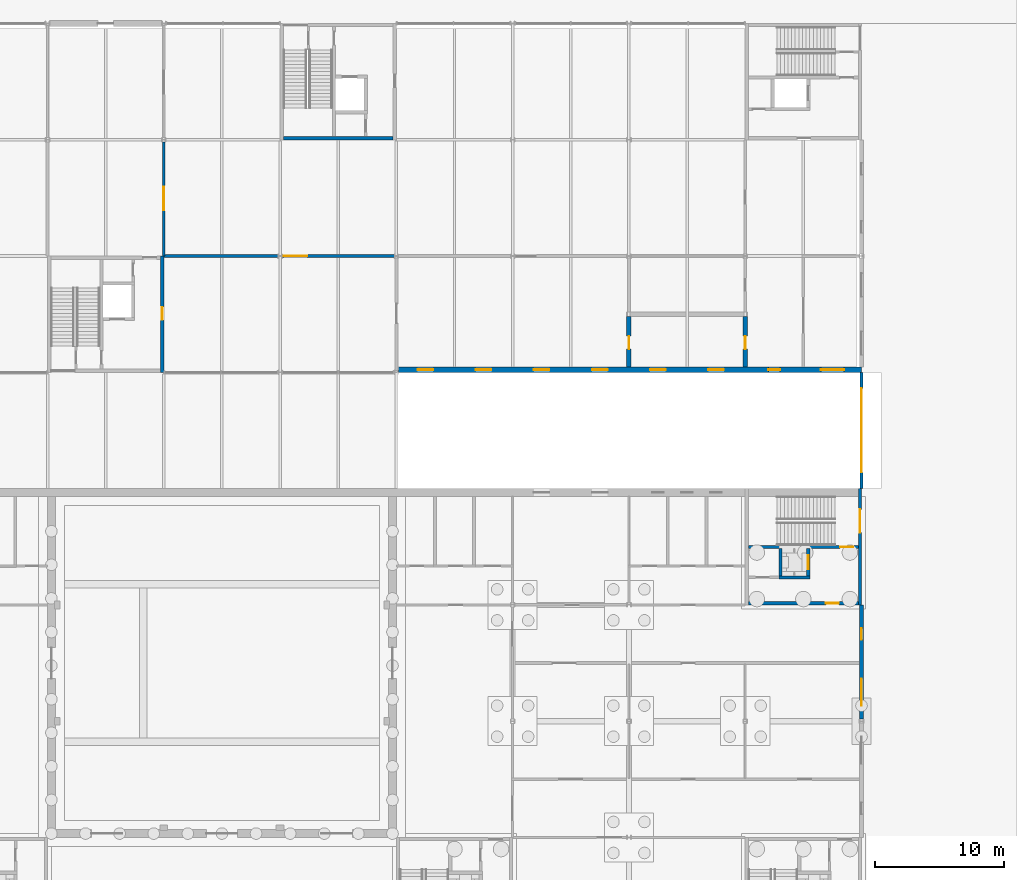
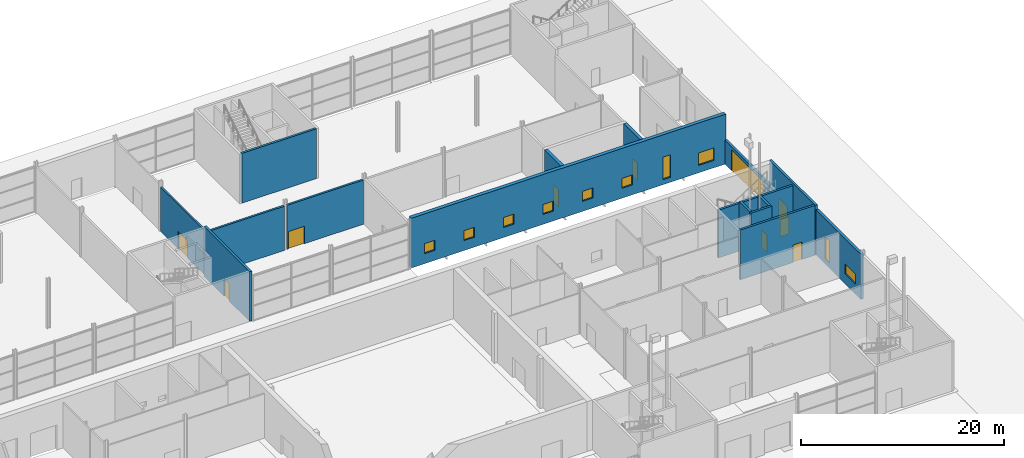
# One storey, part 78 of 97: 16 walls, 10 doors, 10 windows, 20 openings.
"""IFC4 building model written with IfcOpenShell, lengths in metres."""

from ifc_helpers import new_model, si_unit, direction, frame, frame_2d, origin, place, context, subcontext, project, spatial, rectangle, extrude, material, layer, layer_set, type_object, element, fill, save


model = new_model("IFC4")

# Units and contexts
model_context = context("Model", 3, precision=1e-05, world=origin(), true_north=direction((0.0, 1.0)))
body_context = subcontext(model_context, "Body", "Model", "MODEL_VIEW")
ifc_project = project(units=[si_unit("LENGTHUNIT", "METRE"), si_unit("AREAUNIT", "SQUARE_METRE"), si_unit("VOLUMEUNIT", "CUBIC_METRE"), si_unit("PLANEANGLEUNIT", "RADIAN"), si_unit("MASSUNIT", "GRAM", prefix="KILO")], contexts=[model_context])

# Site, building, storey
site_placement = place(None, origin())
site = spatial("IfcSite", under=ifc_project, at=site_placement, CompositionType="ELEMENT")
building_placement = place(site_placement, origin())
building = spatial("IfcBuilding", under=site, at=building_placement, Name="Corbel Yard City Hall", CompositionType="ELEMENT")
storey_placement = place(building_placement, origin())
storey = spatial("IfcBuildingStorey", under=building, at=storey_placement, Name="L00", CompositionType="ELEMENT", Elevation=0.0)

# Wall, openings, windows
ifc_material_1 = material(Name="Concrete N50 (50 MPa)", Category="concrete")
ifc_layer_1 = layer(ifc_material_1, 0.39990234375)
ifc_layer_set_1 = layer_set([ifc_layer_1], Name="Concrete N50 (50 MPa)")
wall_type_1 = type_object("IfcWallType", Name="Bearing wall 400", PredefinedType="SHEAR", material=ifc_layer_set_1)
wall_1_placement = place(storey_placement, frame((144.159912109375, 90.199951171875, 0.0), z_axis=(0.0, 0.0, 1.0), x_axis=(1.0, 0.0, 0.0)))
wall_1 = element("IfcWall", 1, at=wall_1_placement, inside=storey, type_object=wall_type_1, Name="Bearing wall L00 above the ramp trough", PredefinedType="SHEAR", context=body_context, shape_type="SweptSolid", body=[
    extrude(rectangle(XDim=35.840087890625, YDim=0.39990234375, at=frame_2d((17.919921875, 0.0))), origin(), (0.0, 0.0, 1.0), 6.0),
])
opening_1_placement = place(wall_1_placement, frame((1.489990234375, 0.0, 1.199951171875)))
opening_1 = element("IfcOpeningElement", 2, at=opening_1_placement, cuts=wall_1, Name="Opening WN13", PredefinedType="OPENING", context=body_context, shape_type="SweptSolid", body=[
    extrude(rectangle(XDim=1.199951171875, YDim=1.199951171875, at=frame_2d((0.60009765625, 0.60009765625))), frame((0.0, 0.2099609375, 0.0), z_axis=(0.0, -1.0, 0.0), x_axis=(1.0, 0.0, 0.0)), (0.0, 0.0, 1.0), 0.419921875),
])
opening_2_placement = place(wall_1_placement, frame((5.989990234375, 0.0, 1.199951171875)))
opening_2 = element("IfcOpeningElement", 3, at=opening_2_placement, cuts=wall_1, Name="Opening WN13", PredefinedType="OPENING", context=body_context, shape_type="SweptSolid", body=[
    extrude(rectangle(XDim=1.199951171875, YDim=1.199951171875, at=frame_2d((0.60009765625, 0.60009765625))), frame((0.0, 0.2099609375, 0.0), z_axis=(0.0, -1.0, 0.0), x_axis=(1.0, 0.0, 0.0)), (0.0, 0.0, 1.0), 0.419921875),
])
opening_3_placement = place(wall_1_placement, frame((10.489990234375, 0.0, 1.199951171875)))
opening_3 = element("IfcOpeningElement", 4, at=opening_3_placement, cuts=wall_1, Name="Opening WN13", PredefinedType="OPENING", context=body_context, shape_type="SweptSolid", body=[
    extrude(rectangle(XDim=1.199951171875, YDim=1.199951171875, at=frame_2d((0.60009765625, 0.60009765625))), frame((0.0, 0.2099609375, 0.0), z_axis=(0.0, -1.0, 0.0), x_axis=(1.0, 0.0, 0.0)), (0.0, 0.0, 1.0), 0.419921875),
])
opening_4_placement = place(wall_1_placement, frame((14.989990234375, 0.0, 1.199951171875)))
opening_4 = element("IfcOpeningElement", 5, at=opening_4_placement, cuts=wall_1, Name="Opening WN13", PredefinedType="OPENING", context=body_context, shape_type="SweptSolid", body=[
    extrude(rectangle(XDim=1.199951171875, YDim=1.199951171875, at=frame_2d((0.60009765625, 0.60009765625))), frame((0.0, 0.2099609375, 0.0), z_axis=(0.0, -1.0, 0.0), x_axis=(1.0, 0.0, 0.0)), (0.0, 0.0, 1.0), 0.419921875),
])
opening_5_placement = place(wall_1_placement, frame((19.489990234375, 0.0, 1.199951171875)))
opening_5 = element("IfcOpeningElement", 6, at=opening_5_placement, cuts=wall_1, Name="Opening WN13", PredefinedType="OPENING", context=body_context, shape_type="SweptSolid", body=[
    extrude(rectangle(XDim=1.199951171875, YDim=1.199951171875, at=frame_2d((0.60009765625, 0.60009765625))), frame((0.0, 0.2099609375, 0.0), z_axis=(0.0, -1.0, 0.0), x_axis=(1.0, 0.0, 0.0)), (0.0, 0.0, 1.0), 0.419921875),
])
opening_6_placement = place(wall_1_placement, frame((23.989990234375, 0.0, 1.199951171875)))
opening_6 = element("IfcOpeningElement", 7, at=opening_6_placement, cuts=wall_1, Name="Opening WN13", PredefinedType="OPENING", context=body_context, shape_type="SweptSolid", body=[
    extrude(rectangle(XDim=1.199951171875, YDim=1.199951171875, at=frame_2d((0.60009765625, 0.60009765625))), frame((0.0, 0.2099609375, 0.0), z_axis=(0.0, -1.0, 0.0), x_axis=(1.0, 0.0, 0.0)), (0.0, 0.0, 1.0), 0.419921875),
])
opening_7_placement = place(wall_1_placement, frame((28.639892578125, 0.0, 0.60009765625)))
opening_7 = element("IfcOpeningElement", 8, at=opening_7_placement, cuts=wall_1, Name="Opening WN14", PredefinedType="OPENING", context=body_context, shape_type="SweptSolid", body=[
    extrude(rectangle(XDim=0.89990234375, YDim=2.699951171875, at=frame_2d((0.449951171875, 1.35009765625))), frame((0.0, 0.2099609375, 0.0), z_axis=(0.0, -1.0, 0.0), x_axis=(1.0, 0.0, 0.0)), (0.0, 0.0, 1.0), 0.419921875),
])
opening_8_placement = place(wall_1_placement, frame((32.68994140625, 0.0, 0.89990234375)))
opening_8 = element("IfcOpeningElement", 9, at=opening_8_placement, cuts=wall_1, Name="Opening WN4", PredefinedType="OPENING", context=body_context, shape_type="SweptSolid", body=[
    extrude(rectangle(XDim=1.800048828125, YDim=1.5, at=frame_2d((0.89990234375, 0.75))), frame((0.0, 0.2099609375, 0.0), z_axis=(0.0, -1.0, 0.0), x_axis=(1.0, 0.0, 0.0)), (0.0, 0.0, 1.0), 0.419921875),
])
ifc_material_2 = material(Name="Aluminium frame, double glazed low-e glass", Category="aluminium")
window_type_1 = type_object("IfcWindowType", Name="WN13", PartitioningType="SINGLE_PANEL", PredefinedType="WINDOW", material=ifc_material_2)
window_1_placement = place(opening_1_placement, origin())
window_1 = element("IfcWindow", 10, at=window_1_placement, inside=storey, type_object=window_type_1, Name="Window WN13 L00", OverallHeight=1.199951171875, OverallWidth=1.199951171875, PartitioningType="SINGLE_PANEL", PredefinedType="WINDOW", context=body_context, shape_type="SweptSolid", body=[
    extrude(rectangle(XDim=1.199951171875, YDim=1.199951171875, at=frame_2d((0.60009765625, 0.60009765625))), frame((0.0, 0.030029296875, 0.0), z_axis=(0.0, -1.0, 0.0), x_axis=(1.0, 0.0, 0.0)), (0.0, 0.0, 1.0), 0.06005859375),
])
fill(opening_1, window_1)
window_2_placement = place(opening_2_placement, origin())
window_2 = element("IfcWindow", 11, at=window_2_placement, inside=storey, type_object=window_type_1, Name="Window WN13 L00", OverallHeight=1.199951171875, OverallWidth=1.199951171875, PartitioningType="SINGLE_PANEL", PredefinedType="WINDOW", context=body_context, shape_type="SweptSolid", body=[
    extrude(rectangle(XDim=1.199951171875, YDim=1.199951171875, at=frame_2d((0.60009765625, 0.60009765625))), frame((0.0, 0.030029296875, 0.0), z_axis=(0.0, -1.0, 0.0), x_axis=(1.0, 0.0, 0.0)), (0.0, 0.0, 1.0), 0.06005859375),
])
fill(opening_2, window_2)
window_3_placement = place(opening_3_placement, origin())
window_3 = element("IfcWindow", 12, at=window_3_placement, inside=storey, type_object=window_type_1, Name="Window WN13 L00", OverallHeight=1.199951171875, OverallWidth=1.199951171875, PartitioningType="SINGLE_PANEL", PredefinedType="WINDOW", context=body_context, shape_type="SweptSolid", body=[
    extrude(rectangle(XDim=1.199951171875, YDim=1.199951171875, at=frame_2d((0.60009765625, 0.60009765625))), frame((0.0, 0.030029296875, 0.0), z_axis=(0.0, -1.0, 0.0), x_axis=(1.0, 0.0, 0.0)), (0.0, 0.0, 1.0), 0.06005859375),
])
fill(opening_3, window_3)
window_4_placement = place(opening_4_placement, origin())
window_4 = element("IfcWindow", 13, at=window_4_placement, inside=storey, type_object=window_type_1, Name="Window WN13 L00", OverallHeight=1.199951171875, OverallWidth=1.199951171875, PartitioningType="SINGLE_PANEL", PredefinedType="WINDOW", context=body_context, shape_type="SweptSolid", body=[
    extrude(rectangle(XDim=1.199951171875, YDim=1.199951171875, at=frame_2d((0.60009765625, 0.60009765625))), frame((0.0, 0.030029296875, 0.0), z_axis=(0.0, -1.0, 0.0), x_axis=(1.0, 0.0, 0.0)), (0.0, 0.0, 1.0), 0.06005859375),
])
fill(opening_4, window_4)
window_5_placement = place(opening_5_placement, origin())
window_5 = element("IfcWindow", 14, at=window_5_placement, inside=storey, type_object=window_type_1, Name="Window WN13 L00", OverallHeight=1.199951171875, OverallWidth=1.199951171875, PartitioningType="SINGLE_PANEL", PredefinedType="WINDOW", context=body_context, shape_type="SweptSolid", body=[
    extrude(rectangle(XDim=1.199951171875, YDim=1.199951171875, at=frame_2d((0.60009765625, 0.60009765625))), frame((0.0, 0.030029296875, 0.0), z_axis=(0.0, -1.0, 0.0), x_axis=(1.0, 0.0, 0.0)), (0.0, 0.0, 1.0), 0.06005859375),
])
fill(opening_5, window_5)
window_6_placement = place(opening_6_placement, origin())
window_6 = element("IfcWindow", 15, at=window_6_placement, inside=storey, type_object=window_type_1, Name="Window WN13 L00", OverallHeight=1.199951171875, OverallWidth=1.199951171875, PartitioningType="SINGLE_PANEL", PredefinedType="WINDOW", context=body_context, shape_type="SweptSolid", body=[
    extrude(rectangle(XDim=1.199951171875, YDim=1.199951171875, at=frame_2d((0.60009765625, 0.60009765625))), frame((0.0, 0.030029296875, 0.0), z_axis=(0.0, -1.0, 0.0), x_axis=(1.0, 0.0, 0.0)), (0.0, 0.0, 1.0), 0.06005859375),
])
fill(opening_6, window_6)
window_type_2 = type_object("IfcWindowType", Name="WN14", PartitioningType="SINGLE_PANEL", PredefinedType="WINDOW", material=ifc_material_2)
window_7_placement = place(opening_7_placement, origin())
window_7 = element("IfcWindow", 16, at=window_7_placement, inside=storey, type_object=window_type_2, Name="Window WN14 L00", OverallHeight=2.699951171875, OverallWidth=0.89990234375, PartitioningType="SINGLE_PANEL", PredefinedType="WINDOW", context=body_context, shape_type="SweptSolid", body=[
    extrude(rectangle(XDim=0.89990234375, YDim=2.699951171875, at=frame_2d((0.449951171875, 1.35009765625))), frame((0.0, 0.030029296875, 0.0), z_axis=(0.0, -1.0, 0.0), x_axis=(1.0, 0.0, 0.0)), (0.0, 0.0, 1.0), 0.06005859375),
])
fill(opening_7, window_7)
window_type_3 = type_object("IfcWindowType", Name="WN4", PartitioningType="SINGLE_PANEL", PredefinedType="WINDOW", material=ifc_material_2)
window_8_placement = place(opening_8_placement, origin())
window_8 = element("IfcWindow", 17, at=window_8_placement, inside=storey, type_object=window_type_3, Name="Window WN4 L00", OverallHeight=1.5, OverallWidth=1.800048828125, PartitioningType="SINGLE_PANEL", PredefinedType="WINDOW", context=body_context, shape_type="SweptSolid", body=[
    extrude(rectangle(XDim=1.800048828125, YDim=1.5, at=frame_2d((0.89990234375, 0.75))), frame((0.0, 0.030029296875, 0.0), z_axis=(0.0, -1.0, 0.0), x_axis=(1.0, 0.0, 0.0)), (0.0, 0.0, 1.0), 0.06005859375),
])
fill(opening_8, window_8)

# Wall, opening, door
ifc_layer_2 = layer(ifc_material_1, 0.25)
ifc_layer_set_2 = layer_set([ifc_layer_2], Name="Concrete N50 (50 MPa)")
wall_type_2 = type_object("IfcWallType", Name="Core cell wall 250", PredefinedType="SHEAR", material=ifc_layer_set_2)
wall_2_placement = place(storey_placement, frame((179.875, 72.0, 0.0), z_axis=(0.0, 0.0, 1.0), x_axis=(0.0, 1.0, 0.0)))
wall_2 = element("IfcWall", 18, at=wall_2_placement, inside=storey, type_object=wall_type_2, Name="Core PC-M8 east wall", PredefinedType="SHEAR", context=body_context, shape_type="SweptSolid", body=[
    extrude(rectangle(XDim=9.0, YDim=0.25, at=frame_2d((4.5, 0.0))), origin(), (0.0, 0.0, 1.0), 6.0),
])
opening_9_placement = place(wall_2_placement, frame((5.60009765625, 0.0, 0.0)))
opening_9 = element("IfcOpeningElement", 19, at=opening_9_placement, cuts=wall_2, Name="Opening L00-044", PredefinedType="OPENING", context=body_context, shape_type="SweptSolid", body=[
    extrude(rectangle(XDim=1.800048828125, YDim=2.39990234375, at=frame_2d((0.89990234375, 1.199951171875))), frame((0.0, 0.135009765625, 0.0), z_axis=(0.0, -1.0, 0.0), x_axis=(1.0, 0.0, 0.0)), (0.0, 0.0, 1.0), 0.27001953125),
])
ifc_material_3 = material(Name="Steel Grade G250, insulated infill", Category="steel")
door_type_1 = type_object("IfcDoorType", Name="XD2", OperationType="DOUBLE_DOOR_SINGLE_SWING", PredefinedType="DOOR", material=ifc_material_3)
door_1_placement = place(opening_9_placement, frame((1.800048828125, 0.0, 0.0), z_axis=(0.0, 0.0, 1.0), x_axis=(-1.0, 0.0, 0.0)))
door_1 = element("IfcDoor", 20, at=door_1_placement, inside=storey, type_object=door_type_1, Name="Stair exit door PC-M8", OperationType="DOUBLE_DOOR_SINGLE_SWING", OverallHeight=2.39990234375, OverallWidth=1.800048828125, PredefinedType="DOOR", context=body_context, shape_type="SweptSolid", body=[
    extrude(rectangle(XDim=1.800048828125, YDim=2.39990234375, at=frame_2d((0.89990234375, 1.199951171875))), frame((0.0, 0.02490234375, 0.0), z_axis=(0.0, -1.0, 0.0), x_axis=(1.0, 0.0, 0.0)), (0.0, 0.0, 1.0), 0.050048828125),
])
fill(opening_9, door_1)

wall_3_placement = place(storey_placement, frame((171.25, 72.125, 0.0), z_axis=(0.0, 0.0, 1.0), x_axis=(1.0, 0.0, 0.0)))
wall_3 = element("IfcWall", 21, at=wall_3_placement, inside=storey, type_object=wall_type_2, Name="Core PC-M8 south wall", PredefinedType="SHEAR", context=body_context, shape_type="SweptSolid", body=[
    extrude(rectangle(XDim=8.5, YDim=0.25, at=frame_2d((4.25, 0.0))), origin(), (0.0, 0.0, 1.0), 6.0),
])
opening_10_placement = place(wall_3_placement, frame((6.0, 0.0, 0.0)))
opening_10 = element("IfcOpeningElement", 22, at=opening_10_placement, cuts=wall_3, Name="Opening L00-171", PredefinedType="OPENING", context=body_context, shape_type="SweptSolid", body=[
    extrude(rectangle(XDim=1.0, YDim=2.10009765625, at=frame_2d((0.5, 1.050048828125))), frame((0.0, 0.135009765625, 0.0), z_axis=(0.0, -1.0, 0.0), x_axis=(1.0, 0.0, 0.0)), (0.0, 0.0, 1.0), 0.27001953125),
])
ifc_material_4 = material(Name="Steel Grade G250", Category="steel")
door_type_2 = type_object("IfcDoorType", Name="FS1", OperationType="SINGLE_SWING_LEFT", PredefinedType="DOOR", material=ifc_material_4)
door_2_placement = place(opening_10_placement, origin())
door_2 = element("IfcDoor", 23, at=door_2_placement, inside=storey, type_object=door_type_2, Name="Door Lift Lobby", OperationType="SINGLE_SWING_RIGHT", OverallHeight=2.10009765625, OverallWidth=1.0, PredefinedType="DOOR", context=body_context, shape_type="SweptSolid", body=[
    extrude(rectangle(XDim=1.0, YDim=2.10009765625, at=frame_2d((0.5, 1.050048828125))), frame((0.0, 0.02490234375, 0.0), z_axis=(0.0, -1.0, 0.0), x_axis=(1.0, 0.0, 0.0)), (0.0, 0.0, 1.0), 0.050048828125),
])
fill(opening_10, door_2)

# Wall
wall_4_placement = place(storey_placement, frame((135.25, 108.125, 0.0), z_axis=(0.0, 0.0, 1.0), x_axis=(1.0, 0.0, 0.0)))
element("IfcWall", 24, at=wall_4_placement, inside=storey, type_object=wall_type_2, Name="Core PC-N3 south wall", PredefinedType="SHEAR", context=body_context, shape_type="SweptSolid", body=[
    extrude(rectangle(XDim=8.5, YDim=0.25, at=frame_2d((4.25, 0.0))), origin(), (0.0, 0.0, 1.0), 6.0),
])

# Wall, opening, door
wall_5_placement = place(storey_placement, frame((125.875, 90.0, 0.0), z_axis=(0.0, 0.0, 1.0), x_axis=(0.0, 1.0, 0.0)))
wall_5 = element("IfcWall", 25, at=wall_5_placement, inside=storey, type_object=wall_type_2, Name="Core PC-N6 east wall", PredefinedType="SHEAR", context=body_context, shape_type="SweptSolid", body=[
    extrude(rectangle(XDim=9.0, YDim=0.25, at=frame_2d((4.5, 0.0))), origin(), (0.0, 0.0, 1.0), 6.0),
])
opening_11_placement = place(wall_5_placement, frame((4.050048828125, 0.0, 0.0)))
opening_11 = element("IfcOpeningElement", 26, at=opening_11_placement, cuts=wall_5, Name="Opening L00-216", PredefinedType="OPENING", context=body_context, shape_type="SweptSolid", body=[
    extrude(rectangle(XDim=1.0, YDim=2.10009765625, at=frame_2d((0.5, 1.050048828125))), frame((0.0, 0.135009765625, 0.0), z_axis=(0.0, -1.0, 0.0), x_axis=(1.0, 0.0, 0.0)), (0.0, 0.0, 1.0), 0.27001953125),
])
door_3_placement = place(opening_11_placement, frame((1.0, 0.0, 0.0), z_axis=(0.0, 0.0, 1.0), x_axis=(-1.0, 0.0, 0.0)))
door_3 = element("IfcDoor", 27, at=door_3_placement, inside=storey, type_object=door_type_2, Name="Door Lift Lobby", OperationType="SINGLE_SWING_LEFT", OverallHeight=2.10009765625, OverallWidth=1.0, PredefinedType="DOOR", context=body_context, shape_type="SweptSolid", body=[
    extrude(rectangle(XDim=1.0, YDim=2.10009765625, at=frame_2d((0.5, 1.050048828125))), frame((0.0, 0.02490234375, 0.0), z_axis=(0.0, -1.0, 0.0), x_axis=(1.0, 0.0, 0.0)), (0.0, 0.0, 1.0), 0.050048828125),
])
fill(opening_11, door_3)

# Wall, openings, windows
ifc_material_5 = material(Name="Sandstone cladding", Category="masonry")
ifc_layer_3 = layer(ifc_material_5, 0.0400390625)
ifc_material_6 = material(Name="Air cavity", Category="air")
ifc_layer_4 = layer(ifc_material_6, 0.0400390625)
ifc_material_7 = material(Name="Concrete block", Category="concrete")
ifc_layer_5 = layer(ifc_material_7, 0.18994140625)
ifc_material_8 = material(Name="Gypsum plasterboard", Category="gypsum")
ifc_layer_6 = layer(ifc_material_8, 0.030029296875)
ifc_layer_set_3 = layer_set([ifc_layer_3, ifc_layer_4, ifc_layer_5, ifc_layer_6], Name="Concrete block")
wall_type_3 = type_object("IfcWallType", Name="EW1", PredefinedType="SOLIDWALL", material=ifc_layer_set_3)
wall_6_placement = place(storey_placement, frame((180.0, 63.153564453125, 0.0), z_axis=(0.0, 0.0, 1.0), x_axis=(0.0, 1.0, 0.0)))
wall_6 = element("IfcWall", 28, at=wall_6_placement, inside=storey, type_object=wall_type_3, Name="External wall", PredefinedType="SOLIDWALL", context=body_context, shape_type="SweptSolid", body=[
    extrude(rectangle(XDim=8.846435546875, YDim=0.300048828125, at=frame_2d((4.42333984375, 0.0))), origin(), (0.0, 0.0, 1.0), 5.444091796875),
])
opening_12_placement = place(wall_6_placement, frame((1.04638671875, 0.0, 1.199951171875)))
opening_12 = element("IfcOpeningElement", 29, at=opening_12_placement, cuts=wall_6, Name="Opening WN19", PredefinedType="OPENING", context=body_context, shape_type="SweptSolid", body=[
    extrude(rectangle(XDim=2.10009765625, YDim=1.199951171875, at=frame_2d((1.050048828125, 0.60009765625))), frame((0.0, 0.159912109375, 0.0), z_axis=(0.0, -1.0, 0.0), x_axis=(1.0, 0.0, 0.0)), (0.0, 0.0, 1.0), 0.320068359375),
])
opening_13_placement = place(wall_6_placement, frame((6.146484375, 0.0, 0.60009765625)))
opening_13 = element("IfcOpeningElement", 30, at=opening_13_placement, cuts=wall_6, Name="Opening WN14", PredefinedType="OPENING", context=body_context, shape_type="SweptSolid", body=[
    extrude(rectangle(XDim=0.89990234375, YDim=2.699951171875, at=frame_2d((0.449951171875, 1.35009765625))), frame((0.0, 0.159912109375, 0.0), z_axis=(0.0, -1.0, 0.0), x_axis=(1.0, 0.0, 0.0)), (0.0, 0.0, 1.0), 0.320068359375),
])
window_9_placement = place(opening_13_placement, origin())
window_9 = element("IfcWindow", 31, at=window_9_placement, inside=storey, type_object=window_type_2, Name="Window WN14 L00", OverallHeight=2.699951171875, OverallWidth=0.89990234375, PartitioningType="SINGLE_PANEL", PredefinedType="WINDOW", context=body_context, shape_type="SweptSolid", body=[
    extrude(rectangle(XDim=0.89990234375, YDim=2.699951171875, at=frame_2d((0.449951171875, 1.35009765625))), frame((0.0, 0.030029296875, 0.0), z_axis=(0.0, -1.0, 0.0), x_axis=(1.0, 0.0, 0.0)), (0.0, 0.0, 1.0), 0.06005859375),
])
fill(opening_13, window_9)
window_type_4 = type_object("IfcWindowType", Name="WN19", PartitioningType="SINGLE_PANEL", PredefinedType="WINDOW", material=ifc_material_2)
window_10_placement = place(opening_12_placement, origin())
window_10 = element("IfcWindow", 32, at=window_10_placement, inside=storey, type_object=window_type_4, Name="Window WN19 L00", OverallHeight=1.199951171875, OverallWidth=2.10009765625, PartitioningType="SINGLE_PANEL", PredefinedType="WINDOW", context=body_context, shape_type="SweptSolid", body=[
    extrude(rectangle(XDim=2.10009765625, YDim=1.199951171875, at=frame_2d((1.050048828125, 0.60009765625))), frame((0.0, 0.030029296875, 0.0), z_axis=(0.0, -1.0, 0.0), x_axis=(1.0, 0.0, 0.0)), (0.0, 0.0, 1.0), 0.06005859375),
])
fill(opening_12, window_10)

# Wall, opening, door
ifc_material_9 = material(Name="Cement render", Category="render")
ifc_layer_7 = layer(ifc_material_9, 0.010009765625)
ifc_material_10 = material(Name="Concrete N40 (40 MPa)", Category="concrete")
ifc_layer_8 = layer(ifc_material_10, 0.22998046875)
ifc_layer_9 = layer(ifc_material_9, 0.010009765625)
ifc_layer_set_4 = layer_set([ifc_layer_7, ifc_layer_8, ifc_layer_9], Name="Concrete N40 (40 MPa)")
wall_type_4 = type_object("IfcWallType", Name="EW5", PredefinedType="SOLIDWALL", material=ifc_layer_set_4)
wall_7_placement = place(storey_placement, frame((180.0, 81.0, 0.0), z_axis=(0.0, 0.0, 1.0), x_axis=(0.0, 1.0, 0.0)))
wall_7 = element("IfcWall", 33, at=wall_7_placement, inside=storey, type_object=wall_type_4, Name="Ramp portal wall", PredefinedType="SOLIDWALL", context=body_context, shape_type="SweptSolid", body=[
    extrude(rectangle(XDim=9.0, YDim=0.25, at=frame_2d((4.5, 0.0))), origin(), (0.0, 0.0, 1.0), 2.89990234375),
])
opening_14_placement = place(wall_7_placement, frame((1.25, 0.0, 0.0)))
opening_14 = element("IfcOpeningElement", 34, at=opening_14_placement, cuts=wall_7, Name="Opening L00-055", PredefinedType="OPENING", context=body_context, shape_type="SweptSolid", body=[
    extrude(rectangle(XDim=6.5, YDim=2.5, at=frame_2d((3.25, 1.25))), frame((0.0, 0.135009765625, 0.0), z_axis=(0.0, -1.0, 0.0), x_axis=(1.0, 0.0, 0.0)), (0.0, 0.0, 1.0), 0.27001953125),
])
ifc_material_11 = material(Name="Steel Grade G250 mesh, galvanised", Category="steel")
door_type_3 = type_object("IfcDoorType", Name="VG1", OperationType="SLIDING_TO_LEFT", PredefinedType="GATE", material=ifc_material_11)
door_4_placement = place(opening_14_placement, origin())
door_4 = element("IfcDoor", 35, at=door_4_placement, inside=storey, type_object=door_type_3, Name="Ramp vehicle gate", OperationType="SLIDING_TO_LEFT", OverallHeight=2.5, OverallWidth=6.5, PredefinedType="GATE", context=body_context, shape_type="SweptSolid", body=[
    extrude(rectangle(XDim=6.5, YDim=2.5, at=frame_2d((3.25, 1.25))), frame((0.0, 0.02490234375, 0.0), z_axis=(0.0, -1.0, 0.0), x_axis=(1.0, 0.0, 0.0)), (0.0, 0.0, 1.0), 0.050048828125),
])
fill(opening_14, door_4)

ifc_layer_10 = layer(ifc_material_10, 0.25)
ifc_layer_set_5 = layer_set([ifc_layer_10], Name="Concrete N40 (40 MPa)")
wall_type_5 = type_object("IfcWallType", Name="IW2", PredefinedType="SOLIDWALL", material=ifc_layer_set_5)
wall_8_placement = place(storey_placement, frame((179.75, 76.47509765625, 0.0), z_axis=(0.0, 0.0, 1.0), x_axis=(-1.0, 0.0, 0.0)))
wall_8 = element("IfcWall", 36, at=wall_8_placement, inside=storey, type_object=wall_type_5, Name="Stair enclosure wall", PredefinedType="SOLIDWALL", context=body_context, shape_type="SweptSolid", body=[
    extrude(rectangle(XDim=8.5, YDim=0.25, at=frame_2d((4.25, 0.0))), origin(), (0.0, 0.0, 1.0), 5.75),
])
opening_15_placement = place(wall_8_placement, frame((0.39990234375, 0.0, 0.0)))
opening_15 = element("IfcOpeningElement", 37, at=opening_15_placement, cuts=wall_8, Name="Opening L00-170", PredefinedType="OPENING", context=body_context, shape_type="SweptSolid", body=[
    extrude(rectangle(XDim=1.0, YDim=2.10009765625, at=frame_2d((0.5, 1.050048828125))), frame((0.0, 0.135009765625, 0.0), z_axis=(0.0, -1.0, 0.0), x_axis=(1.0, 0.0, 0.0)), (0.0, 0.0, 1.0), 0.27001953125),
])
door_5_placement = place(opening_15_placement, frame((1.0, 0.0, 0.0), z_axis=(0.0, 0.0, 1.0), x_axis=(-1.0, 0.0, 0.0)))
door_5 = element("IfcDoor", 38, at=door_5_placement, inside=storey, type_object=door_type_2, Name="Door Exit Stair 15", OperationType="SINGLE_SWING_RIGHT", OverallHeight=2.10009765625, OverallWidth=1.0, PredefinedType="DOOR", context=body_context, shape_type="SweptSolid", body=[
    extrude(rectangle(XDim=1.0, YDim=2.10009765625, at=frame_2d((0.5, 1.050048828125))), frame((0.0, 0.02490234375, 0.0), z_axis=(0.0, -1.0, 0.0), x_axis=(1.0, 0.0, 0.0)), (0.0, 0.0, 1.0), 0.050048828125),
])
fill(opening_15, door_5)

# Walls
wall_9_placement = place(storey_placement, frame((173.60009765625, 74.125, -1.39990234375), z_axis=(0.0, 0.0, 1.0), x_axis=(1.0, 0.0, 0.0)))
element("IfcWall", 39, at=wall_9_placement, inside=storey, type_object=wall_type_5, Name="Lift LP15 shaft wall", PredefinedType="SOLIDWALL", context=body_context, shape_type="SweptSolid", body=[
    extrude(rectangle(XDim=2.39990234375, YDim=0.25, at=frame_2d((1.199951171875, 0.0))), origin(), (0.0, 0.0, 1.0), 7.39990234375),
])
wall_10_placement = place(storey_placement, frame((173.72509765625, 74.25, -1.39990234375), z_axis=(0.0, 0.0, 1.0), x_axis=(0.0, 1.0, 0.0)))
element("IfcWall", 40, at=wall_10_placement, inside=storey, type_object=wall_type_5, Name="Lift LP15 shaft wall", PredefinedType="SOLIDWALL", context=body_context, shape_type="SweptSolid", body=[
    extrude(rectangle(XDim=2.10009765625, YDim=0.25, at=frame_2d((1.050048828125, 0.0))), origin(), (0.0, 0.0, 1.0), 7.39990234375),
])

# Wall, opening, door
wall_11_placement = place(storey_placement, frame((175.875, 74.25, -1.39990234375), z_axis=(0.0, 0.0, 1.0), x_axis=(0.0, 1.0, 0.0)))
wall_11 = element("IfcWall", 41, at=wall_11_placement, inside=storey, type_object=wall_type_5, Name="Lift LP15 shaft wall", PredefinedType="SOLIDWALL", context=body_context, shape_type="SweptSolid", body=[
    extrude(rectangle(XDim=2.10009765625, YDim=0.25, at=frame_2d((1.050048828125, 0.0))), origin(), (0.0, 0.0, 1.0), 7.39990234375),
])
opening_16_placement = place(wall_11_placement, frame((0.5, 0.0, 1.39990234375)))
opening_16 = element("IfcOpeningElement", 42, at=opening_16_placement, cuts=wall_11, Name="Opening L00-114", PredefinedType="OPENING", context=body_context, shape_type="SweptSolid", body=[
    extrude(rectangle(XDim=1.10009765625, YDim=2.10009765625, at=frame_2d((0.550048828125, 1.050048828125))), frame((0.0, 0.135009765625, 0.0), z_axis=(0.0, -1.0, 0.0), x_axis=(1.0, 0.0, 0.0)), (0.0, 0.0, 1.0), 0.27001953125),
])
ifc_material_12 = material(Name="Stainless steel Grade 316", Category="steel")
door_type_4 = type_object("IfcDoorType", Name="LD1", OperationType="DOUBLE_DOOR_SLIDING", PredefinedType="DOOR", material=ifc_material_12)
door_6_placement = place(opening_16_placement, origin())
door_6 = element("IfcDoor", 43, at=door_6_placement, inside=storey, type_object=door_type_4, Name="Lift LP15 landing door", OperationType="DOUBLE_DOOR_SLIDING", OverallHeight=2.10009765625, OverallWidth=1.10009765625, PredefinedType="DOOR", context=body_context, shape_type="SweptSolid", body=[
    extrude(rectangle(XDim=1.10009765625, YDim=2.10009765625, at=frame_2d((0.550048828125, 1.050048828125))), frame((0.0, 0.02490234375, 0.0), z_axis=(0.0, -1.0, 0.0), x_axis=(1.0, 0.0, 0.0)), (0.0, 0.0, 1.0), 0.050048828125),
])
fill(opening_16, door_6)

ifc_layer_11 = layer(ifc_material_8, 0.031982421875)
ifc_material_13 = material(Name="Steel Grade G550 (550 MPa yield)", Category="steel")
ifc_layer_12 = layer(ifc_material_13, 0.135986328125)
ifc_layer_13 = layer(ifc_material_8, 0.031982421875)
ifc_layer_set_6 = layer_set([ifc_layer_11, ifc_layer_12, ifc_layer_13], Name="Steel Grade G550 (550 MPa yield)")
wall_type_6 = type_object("IfcWallType", Name="PT2", PredefinedType="PARTITIONING", material=ifc_layer_set_6)
wall_12_placement = place(storey_placement, frame((126.0, 99.0, 0.0), z_axis=(0.0, 0.0, 1.0), x_axis=(0.0, 1.0, 0.0)))
wall_12 = element("IfcWall", 44, at=wall_12_placement, inside=storey, type_object=wall_type_6, Name="Acoustic wall", PredefinedType="PARTITIONING", context=body_context, shape_type="SweptSolid", body=[
    extrude(rectangle(XDim=8.83642578125, YDim=0.199951171875, at=frame_2d((4.418212890625, 0.0))), origin(), (0.0, 0.0, 1.0), 5.322021484375),
])
opening_17_placement = place(wall_12_placement, frame((3.550048828125, 0.0, 0.0)))
opening_17 = element("IfcOpeningElement", 45, at=opening_17_placement, cuts=wall_12, Name="Opening L00-229", PredefinedType="OPENING", context=body_context, shape_type="SweptSolid", body=[
    extrude(rectangle(XDim=1.800048828125, YDim=2.10009765625, at=frame_2d((0.89990234375, 1.050048828125))), frame((0.0, 0.10986328125, 0.0), z_axis=(0.0, -1.0, 0.0), x_axis=(1.0, 0.0, 0.0)), (0.0, 0.0, 1.0), 0.219970703125),
])
ifc_material_14 = material(Name="Timber", Category="wood")
door_type_5 = type_object("IfcDoorType", Name="D3", OperationType="DOUBLE_DOOR_SINGLE_SWING", PredefinedType="DOOR", material=ifc_material_14)
door_7_placement = place(opening_17_placement, origin())
door_7 = element("IfcDoor", 46, at=door_7_placement, inside=storey, type_object=door_type_5, Name="Door Staff Restaurant", OperationType="DOUBLE_DOOR_SINGLE_SWING", OverallHeight=2.10009765625, OverallWidth=1.800048828125, PredefinedType="DOOR", context=body_context, shape_type="SweptSolid", body=[
    extrude(rectangle(XDim=1.800048828125, YDim=2.10009765625, at=frame_2d((0.89990234375, 1.050048828125))), frame((0.0, 0.02490234375, 0.0), z_axis=(0.0, -1.0, 0.0), x_axis=(1.0, 0.0, 0.0)), (0.0, 0.0, 1.0), 0.050048828125),
])
fill(opening_17, door_7)

# Wall
ifc_material_15 = material(Name="Ceramic tile", Category="ceramic")
ifc_layer_14 = layer(ifc_material_15, 0.0048828125)
ifc_layer_15 = layer(ifc_material_7, 0.215087890625)
ifc_layer_16 = layer(ifc_material_15, 0.0048828125)
ifc_layer_set_7 = layer_set([ifc_layer_14, ifc_layer_15, ifc_layer_16], Name="Concrete block")
wall_type_7 = type_object("IfcWallType", Name="PT21", PredefinedType="PARTITIONING", material=ifc_layer_set_7)
wall_13_placement = place(storey_placement, frame((126.0, 99.0, 0.0), z_axis=(0.0, 0.0, 1.0), x_axis=(1.0, 0.0, 0.0)))
element("IfcWall", 47, at=wall_13_placement, inside=storey, type_object=wall_type_7, Name="Hygienic block wall", PredefinedType="PARTITIONING", context=body_context, shape_type="SweptSolid", body=[
    extrude(rectangle(XDim=8.83642578125, YDim=0.22509765625, at=frame_2d((4.418212890625, 0.0))), origin(), (0.0, 0.0, 1.0), 5.322021484375),
])

# Wall, opening, door
wall_14_placement = place(storey_placement, frame((135.16357421875, 99.0, 0.0), z_axis=(0.0, 0.0, 1.0), x_axis=(1.0, 0.0, 0.0)))
wall_14 = element("IfcWall", 48, at=wall_14_placement, inside=storey, type_object=wall_type_7, Name="Hygienic block wall", PredefinedType="PARTITIONING", context=body_context, shape_type="SweptSolid", body=[
    extrude(rectangle(XDim=8.6728515625, YDim=0.22509765625, at=frame_2d((4.33642578125, 0.0))), origin(), (0.0, 0.0, 1.0), 5.322021484375),
])
opening_18_placement = place(wall_14_placement, frame((0.136474609375, 0.0, 0.0)))
opening_18 = element("IfcOpeningElement", 49, at=opening_18_placement, cuts=wall_14, Name="Opening L00-231", PredefinedType="OPENING", context=body_context, shape_type="SweptSolid", body=[
    extrude(rectangle(XDim=1.800048828125, YDim=2.10009765625, at=frame_2d((0.89990234375, 1.050048828125))), frame((0.0, 0.12255859375, 0.0), z_axis=(0.0, -1.0, 0.0), x_axis=(1.0, 0.0, 0.0)), (0.0, 0.0, 1.0), 0.2451171875),
])
door_8_placement = place(opening_18_placement, origin())
door_8 = element("IfcDoor", 50, at=door_8_placement, inside=storey, type_object=door_type_5, Name="Door Servery", OperationType="DOUBLE_DOOR_SINGLE_SWING", OverallHeight=2.10009765625, OverallWidth=1.800048828125, PredefinedType="DOOR", context=body_context, shape_type="SweptSolid", body=[
    extrude(rectangle(XDim=1.800048828125, YDim=2.10009765625, at=frame_2d((0.89990234375, 1.050048828125))), frame((0.0, 0.02490234375, 0.0), z_axis=(0.0, -1.0, 0.0), x_axis=(1.0, 0.0, 0.0)), (0.0, 0.0, 1.0), 0.050048828125),
])
fill(opening_18, door_8)

ifc_layer_17 = layer(ifc_material_7, 0.199951171875)
ifc_material_16 = material(Name="Polyisocyanurate insulation", Category="insulation")
ifc_layer_18 = layer(ifc_material_16, 0.10009765625)
ifc_layer_19 = layer(ifc_material_12, 0.050048828125)
ifc_layer_set_8 = layer_set([ifc_layer_17, ifc_layer_18, ifc_layer_19], Name="Concrete block")
wall_type_8 = type_object("IfcWallType", Name="PT22", PredefinedType="PARTITIONING", material=ifc_layer_set_8)
wall_15_placement = place(storey_placement, frame((162.0, 90.39990234375, 0.0), z_axis=(0.0, 0.0, 1.0), x_axis=(0.0, 1.0, 0.0)))
wall_15 = element("IfcWall", 51, at=wall_15_placement, inside=storey, type_object=wall_type_8, Name="Cold room wall", PredefinedType="PARTITIONING", context=body_context, shape_type="SweptSolid", body=[
    extrude(rectangle(XDim=3.925048828125, YDim=0.35009765625, at=frame_2d((1.96240234375, 0.0))), origin(), (0.0, 0.0, 1.0), 5.447021484375),
])
opening_19_placement = place(wall_15_placement, frame((1.39990234375, 0.0, 0.0)))
opening_19 = element("IfcOpeningElement", 52, at=opening_19_placement, cuts=wall_15, Name="Opening L00-234", PredefinedType="OPENING", context=body_context, shape_type="SweptSolid", body=[
    extrude(rectangle(XDim=1.0, YDim=2.10009765625, at=frame_2d((0.5, 1.050048828125))), frame((0.0, 0.18505859375, 0.0), z_axis=(0.0, -1.0, 0.0), x_axis=(1.0, 0.0, 0.0)), (0.0, 0.0, 1.0), 0.3701171875),
])
door_type_6 = type_object("IfcDoorType", Name="D1", OperationType="SINGLE_SWING_LEFT", PredefinedType="DOOR", material=ifc_material_14)
door_9_placement = place(opening_19_placement, frame((1.0, 0.0, 0.0), z_axis=(0.0, 0.0, 1.0), x_axis=(-1.0, 0.0, 0.0)))
door_9 = element("IfcDoor", 53, at=door_9_placement, inside=storey, type_object=door_type_6, Name="Door Cold Room and Dry Store", OperationType="SINGLE_SWING_RIGHT", OverallHeight=2.10009765625, OverallWidth=1.0, PredefinedType="DOOR", context=body_context, shape_type="SweptSolid", body=[
    extrude(rectangle(XDim=1.0, YDim=2.10009765625, at=frame_2d((0.5, 1.050048828125))), frame((0.0, 0.02490234375, 0.0), z_axis=(0.0, -1.0, 0.0), x_axis=(1.0, 0.0, 0.0)), (0.0, 0.0, 1.0), 0.050048828125),
])
fill(opening_19, door_9)

wall_16_placement = place(storey_placement, frame((171.0, 90.39990234375, 0.0), z_axis=(0.0, 0.0, 1.0), x_axis=(0.0, 1.0, 0.0)))
wall_16 = element("IfcWall", 54, at=wall_16_placement, inside=storey, type_object=wall_type_8, Name="Cold room wall", PredefinedType="PARTITIONING", context=body_context, shape_type="SweptSolid", body=[
    extrude(rectangle(XDim=3.925048828125, YDim=0.35009765625, at=frame_2d((1.96240234375, 0.0))), origin(), (0.0, 0.0, 1.0), 5.447021484375),
])
opening_20_placement = place(wall_16_placement, frame((1.39990234375, 0.0, 0.0)))
opening_20 = element("IfcOpeningElement", 55, at=opening_20_placement, cuts=wall_16, Name="Opening L00-233", PredefinedType="OPENING", context=body_context, shape_type="SweptSolid", body=[
    extrude(rectangle(XDim=1.0, YDim=2.10009765625, at=frame_2d((0.5, 1.050048828125))), frame((0.0, 0.18505859375, 0.0), z_axis=(0.0, -1.0, 0.0), x_axis=(1.0, 0.0, 0.0)), (0.0, 0.0, 1.0), 0.3701171875),
])
door_10_placement = place(opening_20_placement, origin())
door_10 = element("IfcDoor", 56, at=door_10_placement, inside=storey, type_object=door_type_6, Name="Door Cold Room and Dry Store", OperationType="SINGLE_SWING_LEFT", OverallHeight=2.10009765625, OverallWidth=1.0, PredefinedType="DOOR", context=body_context, shape_type="SweptSolid", body=[
    extrude(rectangle(XDim=1.0, YDim=2.10009765625, at=frame_2d((0.5, 1.050048828125))), frame((0.0, 0.02490234375, 0.0), z_axis=(0.0, -1.0, 0.0), x_axis=(1.0, 0.0, 0.0)), (0.0, 0.0, 1.0), 0.050048828125),
])
fill(opening_20, door_10)

save(model, "model.ifc")
